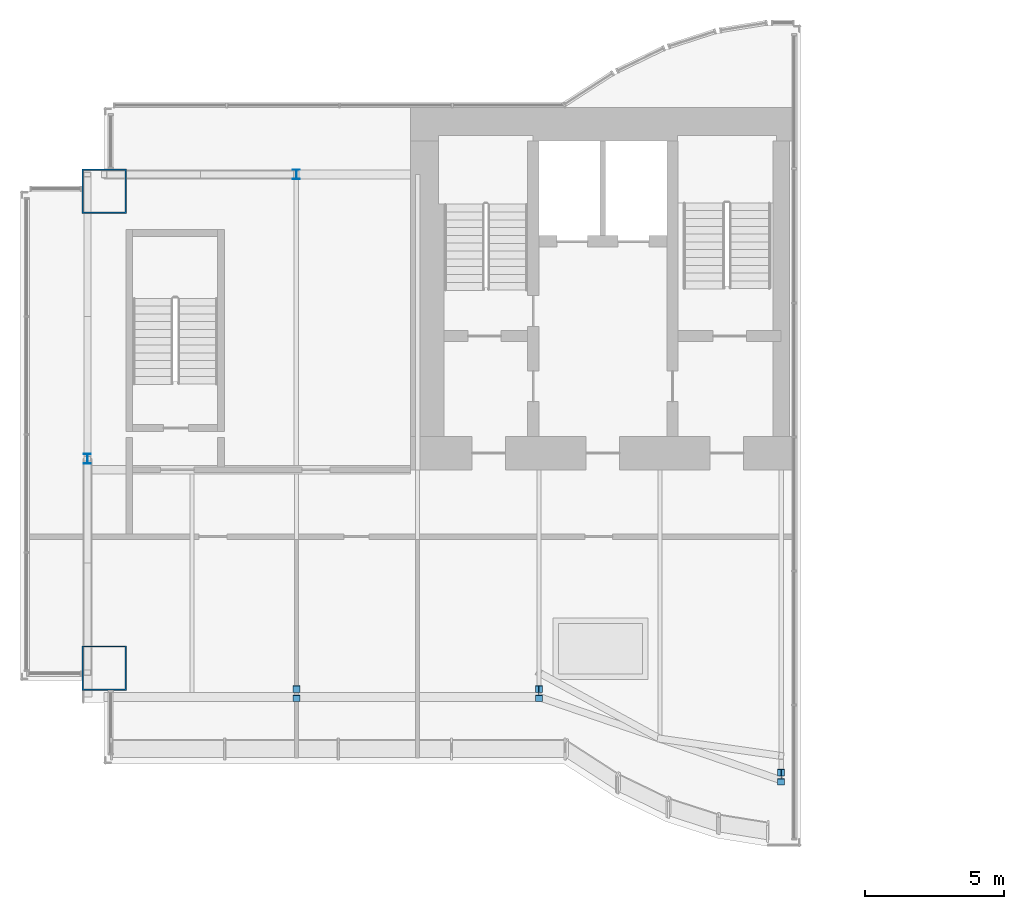
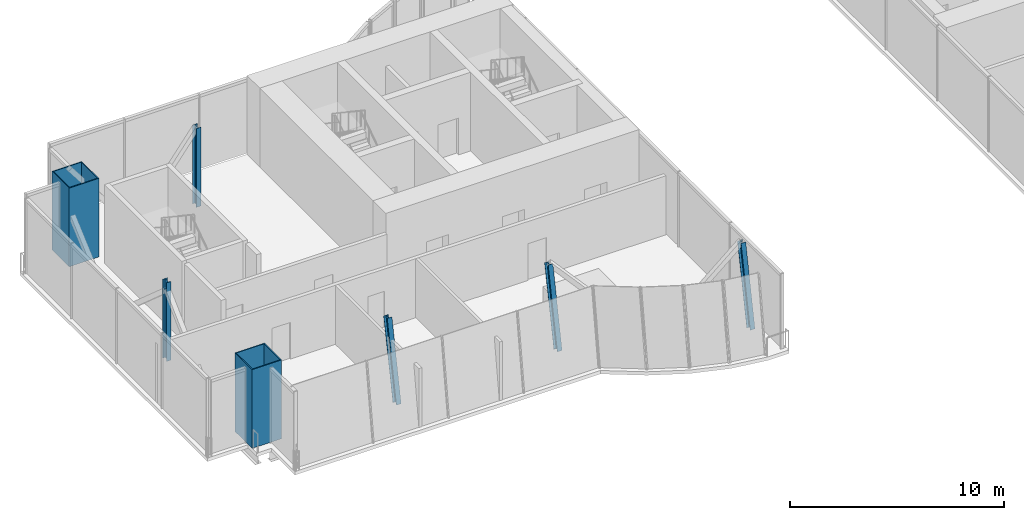
# One storey, part 1 of 14: 7 columns.
"""IFC4 building model written with IfcOpenShell, lengths in metres."""

from ifc_helpers import new_model, si_unit, direction, frame, origin, origin_2d, place, context, subcontext, project, spatial, hollow_rectangle, i_section, extrude, material, material_profile, profile_set, type_object, element, save


model = new_model("IFC4")

# Units and contexts
model_context = context("Model", 3, precision=1e-05, world=origin(), true_north=direction((0.0, 1.0)))
body_context = subcontext(model_context, "Body", "Model", "MODEL_VIEW")
ifc_project = project(units=[si_unit("LENGTHUNIT", "METRE"), si_unit("AREAUNIT", "SQUARE_METRE"), si_unit("VOLUMEUNIT", "CUBIC_METRE"), si_unit("PLANEANGLEUNIT", "RADIAN"), si_unit("MASSUNIT", "GRAM", prefix="KILO")], contexts=[model_context])

# Site, building, storey
site_placement = place(None, origin())
site = spatial("IfcSite", under=ifc_project, at=site_placement, CompositionType="ELEMENT")
building_placement = place(site_placement, origin())
building = spatial("IfcBuilding", under=site, at=building_placement, Name="Bicima Exchange Tower", CompositionType="ELEMENT")
storey_placement = place(building_placement, frame((0.0, 0.0, 352.39990234375)))
storey = spatial("IfcBuildingStorey", under=building, at=storey_placement, Name="L79", CompositionType="ELEMENT", Elevation=352.39990234375)

# Columns
ifc_material_1 = material(Name="Steel ASTM A572 Gr 50", Category="steel")
ifc_material_profile_1 = material_profile(ifc_material_1, hollow_rectangle(XDim=1.60009765625, YDim=1.60009765625, WallThickness=0.050048828125, at=origin_2d()))
ifc_profile_set_1 = profile_set([ifc_material_profile_1], Name="Steel ASTM A572 Gr 50")
column_type_1 = type_object("IfcColumnType", Name="Mega column BOX 1600x1600x50", PredefinedType="COLUMN", material=ifc_profile_set_1)
for number, where, z_axis, x_axis, name in (
    (1, (-33.0, -20.1171875, 0.0), (0.0, 0.0, 1.0), (1.0, 0.0, 0.0), "Mega column mega-33.0f"),
    (2, (-33.0, -3.0, 0.0), (0.0, 0.0, 1.0), (1.0, 0.0, 0.0), "Mega column mega-33.0r"),
):
    element("IfcColumn", number, at=place(storey_placement, frame(where, z_axis=z_axis, x_axis=x_axis)), inside=storey, type_object=column_type_1, Name=name, PredefinedType="COLUMN", context=body_context, shape_type="SweptSolid", body=[
        extrude(hollow_rectangle(XDim=1.60009765625, YDim=1.60009765625, WallThickness=0.050048828125, at=origin_2d()), origin(), (0.0, 0.0, 1.0), 4.5),
    ])
ifc_material_2 = material(Name="Steel ASTM A992 Gr 50", Category="steel")
ifc_material_profile_2 = material_profile(ifc_material_2, i_section(OverallWidth=0.25390625, OverallDepth=0.35302734375, WebThickness=0.009521484375, FlangeThickness=0.016357421875, at=origin_2d()))
ifc_profile_set_2 = profile_set([ifc_material_profile_2], Name="Steel ASTM A992 Gr 50")
column_type_2 = type_object("IfcColumnType", Name="Perimeter column W14x61", PredefinedType="COLUMN", material=ifc_profile_set_2)
column_1_placement = place(storey_placement, frame((-26.10009765625, -21.149169921875, 0.03369140625), z_axis=(0.0, 0.191206783257, 0.981549777666), x_axis=(-1.0, 0.0, 0.0)))
element("IfcColumn", 3, at=column_1_placement, inside=storey, type_object=column_type_2, Name="Perimeter column grav-26.1f", PredefinedType="COLUMN", context=body_context, shape_type="SweptSolid", body=[
    extrude(i_section(OverallWidth=0.25390625, OverallDepth=0.35302734375, WebThickness=0.009521484375, FlangeThickness=0.016357421875, at=origin_2d()), origin(), (0.0, 0.0, 1.0), 4.51611328125),
])
column_2_placement = place(storey_placement, frame((-26.10009765625, -2.39990234375, 0.0), z_axis=(0.0, 0.0, 1.0), x_axis=(1.0, 0.0, 0.0)))
element("IfcColumn", 4, at=column_2_placement, inside=storey, type_object=column_type_2, Name="Perimeter column grav-26.1r", PredefinedType="COLUMN", context=body_context, shape_type="SweptSolid", body=[
    extrude(i_section(OverallWidth=0.25390625, OverallDepth=0.35302734375, WebThickness=0.009521484375, FlangeThickness=0.016357421875, at=origin_2d()), origin(), (0.0, 0.0, 1.0), 4.5),
])
for number, where, z_axis, x_axis, name in (
    (5, (-17.39990234375, -21.149169921875, 0.03369140625), (0.0, 0.191206783257, 0.981549777666), (-1.0, 0.0, 0.0), "Perimeter column grav-17.4f"),
    (6, (-8.699951171875, -24.14013671875, 0.03369140625), (0.0, 0.191206783257, 0.981549777666), (-1.0, 0.0, 0.0), "Perimeter column grav-8.7f"),
):
    element("IfcColumn", number, at=place(storey_placement, frame(where, z_axis=z_axis, x_axis=x_axis)), inside=storey, type_object=column_type_2, Name=name, PredefinedType="COLUMN", context=body_context, shape_type="SweptSolid", body=[
        extrude(i_section(OverallWidth=0.25390625, OverallDepth=0.35302734375, WebThickness=0.009521484375, FlangeThickness=0.016357421875, at=origin_2d()), origin(), (0.0, 0.0, 1.0), 4.51611328125),
    ])
column_3_placement = place(storey_placement, frame((-33.60009765625, -12.60009765625, 0.0), z_axis=(0.0, 0.0, 1.0), x_axis=(1.0, 0.0, 0.0)))
element("IfcColumn", 7, at=column_3_placement, inside=storey, type_object=column_type_2, Name="End column end-33.6e", PredefinedType="COLUMN", context=body_context, shape_type="SweptSolid", body=[
    extrude(i_section(OverallWidth=0.25390625, OverallDepth=0.35302734375, WebThickness=0.009521484375, FlangeThickness=0.016357421875, at=origin_2d()), origin(), (0.0, 0.0, 1.0), 4.5),
])

save(model, "model.ifc")
